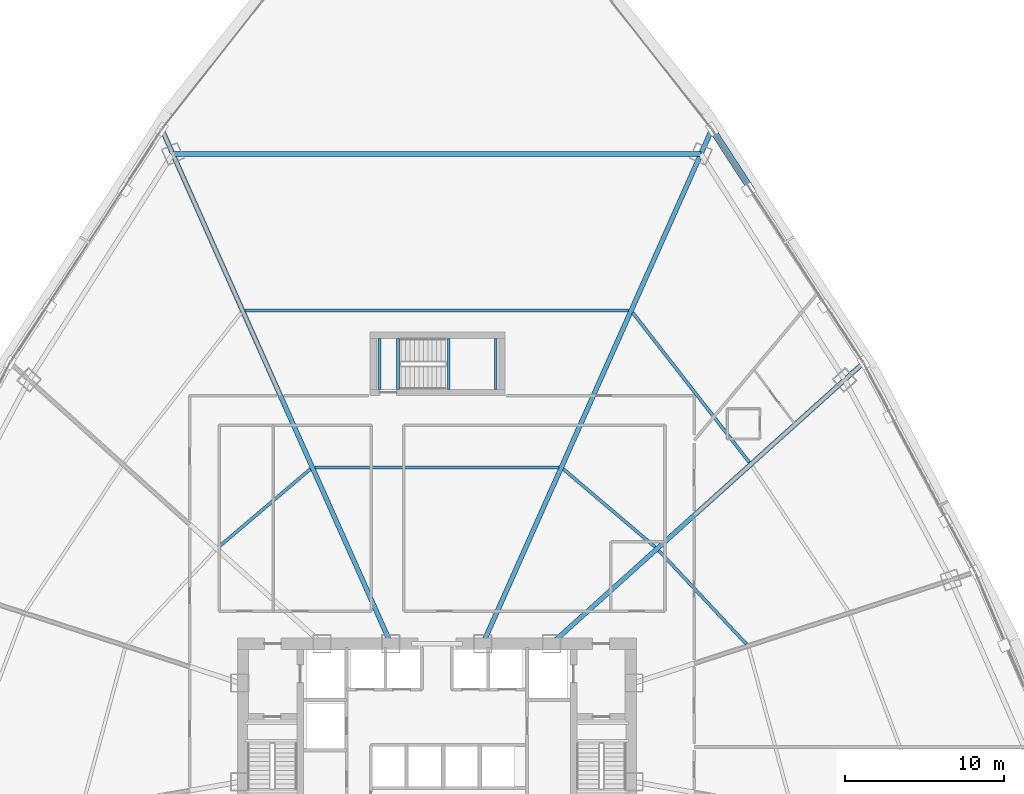
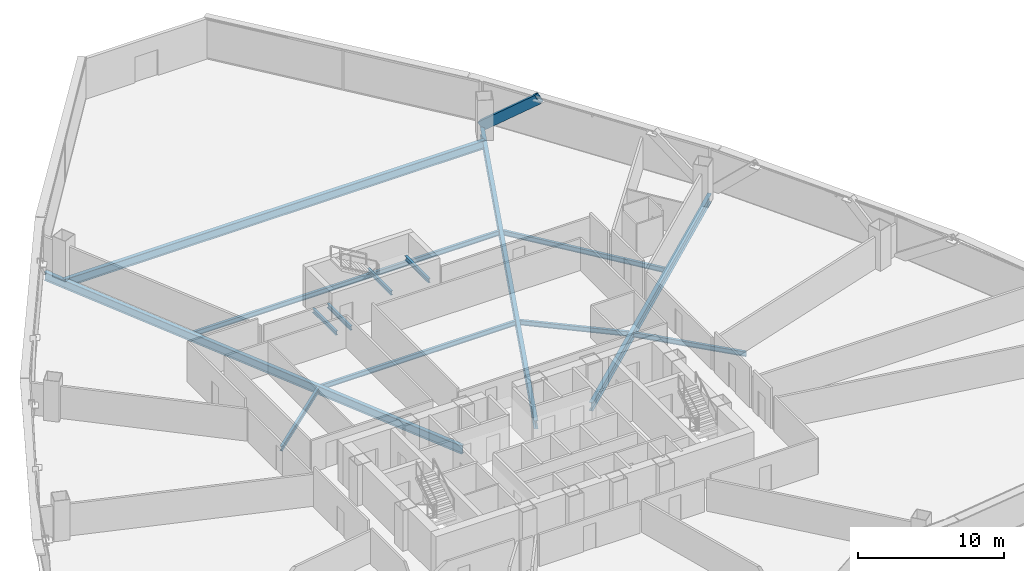
# One storey, part 19 of 42: 14 beams, 1 member.
"""IFC4 building model written with IfcOpenShell, lengths in metres."""

from ifc_helpers import new_model, si_unit, direction, frame, origin, origin_2d, place, context, subcontext, project, spatial, hollow_rectangle, i_section, extrude, source, transform, mapped, material, material_profile, profile_set, type_object, element, save


model = new_model("IFC4")

# Units and contexts
model_context = context("Model", 3, precision=1e-05, world=origin(), true_north=direction((0.0, 1.0)))
body_context = subcontext(model_context, "Body", "Model", "MODEL_VIEW")
ifc_project = project(units=[si_unit("LENGTHUNIT", "METRE"), si_unit("AREAUNIT", "SQUARE_METRE"), si_unit("VOLUMEUNIT", "CUBIC_METRE"), si_unit("PLANEANGLEUNIT", "RADIAN"), si_unit("MASSUNIT", "GRAM", prefix="KILO"), si_unit("THERMODYNAMICTEMPERATUREUNIT", "KELVIN"), si_unit("POWERUNIT", "WATT")], contexts=[model_context])

# Site, building, storey
site_placement = place(None, origin())
site = spatial("IfcSite", under=ifc_project, at=site_placement, CompositionType="ELEMENT")
building_placement = place(site_placement, origin())
building = spatial("IfcBuilding", under=site, at=building_placement, Name="Yunzhuo Pagoda Commons", CompositionType="ELEMENT")
storey_placement = place(building_placement, frame((0.0, 0.0, 48.550048828125)))
storey = spatial("IfcBuildingStorey", under=building, at=storey_placement, Name="L12", CompositionType="ELEMENT", Elevation=48.550048828125)

# Beams
ifc_material_1 = material(Name="Structural steel Q355B", Category="steel")
ifc_material_profile_1 = material_profile(ifc_material_1, i_section(OverallWidth=0.175048828125, OverallDepth=0.35009765625, WebThickness=0.007080078125, FlangeThickness=0.010986328125, at=origin_2d()), Name="Structural steel Q355B")
ifc_profile_set_1 = profile_set([ifc_material_profile_1], Name="Structural steel Q355B")
beam_type_1 = type_object("IfcBeamType", Name="B-JS2 Joist HN 350x175x7x11", PredefinedType="JOIST", material=ifc_profile_set_1)
shared_shape_1 = source(origin(), body_context, "Body", "SweptSolid", [
    extrude(i_section(OverallWidth=0.175048828125, OverallDepth=0.35009765625, WebThickness=0.007080078125, FlangeThickness=0.010986328125, at=origin_2d()), origin(), (0.0, 0.0, 1.0), 3.199951171875),
])
for number, where, z_axis, x_axis, name in (
    (1, (48.75, 56.199951171875, 1.43994140625), (0.0, 1.0, 0.0), (-1.0, 0.0, 0.0), "L12 ST3 landing support beam 16A"),
    (2, (51.699951171875, 56.199951171875, 1.43994140625), (0.0, 1.0, 0.0), (-1.0, 0.0, 0.0), "L12 ST3 landing support beam 16B"),
    (3, (44.39990234375, 56.199951171875, -0.375), (0.0, 1.0, 0.0), (-1.0, 0.0, 0.0), "L12 ST3 landing support beam 86A"),
    (4, (45.550048828125, 56.199951171875, -0.375), (0.0, 1.0, 0.0), (-1.0, 0.0, 0.0), "L12 ST3 landing support beam 86B"),
):
    element("IfcBeam", number, at=place(storey_placement, frame(where, z_axis=z_axis, x_axis=x_axis)), inside=storey, type_object=beam_type_1, Name=name, PredefinedType="JOIST", context=body_context, shape_type="MappedRepresentation", body=[
        mapped(shared_shape_1, transform((0.0, 0.0, 0.0), scale=1.0)),
    ])
ifc_material_profile_2 = material_profile(ifc_material_1, i_section(OverallWidth=0.300048828125, OverallDepth=0.699951171875, WebThickness=0.012939453125, FlangeThickness=0.02392578125, at=origin_2d()), Name="Structural steel Q355B")
ifc_profile_set_2 = profile_set([ifc_material_profile_2], Name="Structural steel Q355B")
beam_type_2 = type_object("IfcBeamType", Name="B-RG1 Beam HN 700x300x13x24", PredefinedType="BEAM", material=ifc_profile_set_2)
shared_shape_2 = source(origin(), body_context, "Body", "SweptSolid", [
    extrude(i_section(OverallWidth=0.300048828125, OverallDepth=0.699951171875, WebThickness=0.012939453125, FlangeThickness=0.02392578125, at=origin_2d()), origin(), (0.0, 0.0, 1.0), 33.2216796875),
])
beam_1_placement = place(storey_placement, frame((64.61083984375, 71.008544921875, -0.610107421875), z_axis=(-1.0, 0.0, 0.0), x_axis=(0.0, -1.0, 0.0)))
element("IfcBeam", 5, at=beam_1_placement, inside=storey, type_object=beam_type_2, Name="L12 column-ring beam 8", PredefinedType="BEAM", context=body_context, shape_type="MappedRepresentation", body=[
    mapped(shared_shape_2, transform((0.0, 0.0, 0.0), scale=1.0)),
])
ifc_material_profile_3 = material_profile(ifc_material_1, i_section(OverallWidth=0.199951171875, OverallDepth=0.39990234375, WebThickness=0.008056640625, FlangeThickness=0.012939453125, at=origin_2d()), Name="Structural steel Q355B")
ifc_profile_set_3 = profile_set([ifc_material_profile_3], Name="Structural steel Q355B")
beam_type_3 = type_object("IfcBeamType", Name="B-JS1 Joist HN 400x200x8x13", PredefinedType="JOIST", material=ifc_profile_set_3)
shared_shape_3 = source(origin(), body_context, "Body", "SweptSolid", [
    extrude(i_section(OverallWidth=0.199951171875, OverallDepth=0.39990234375, WebThickness=0.008056640625, FlangeThickness=0.012939453125, at=origin_2d()), origin(), (0.0, 0.0, 1.0), 8.055908203125),
])
beam_2_placement = place(storey_placement, frame((67.468017578125, 40.177001953125, -0.4599609375), z_axis=(-0.683432879027, 0.730013355949, 0.0), x_axis=(-0.730013355949, -0.683432879027, 0.0)))
element("IfcBeam", 6, at=beam_2_placement, inside=storey, type_object=beam_type_3, Name="L12 composite ring joist 1.6", PredefinedType="JOIST", context=body_context, shape_type="MappedRepresentation", body=[
    mapped(shared_shape_3, transform((0.0, 0.0, 0.0), scale=1.0)),
])
shared_shape_4 = source(origin(), body_context, "Body", "SweptSolid", [
    extrude(i_section(OverallWidth=0.199951171875, OverallDepth=0.39990234375, WebThickness=0.008056640625, FlangeThickness=0.012939453125, at=origin_2d()), origin(), (0.0, 0.0, 1.0), 7.583984375),
])
for number, where, z_axis, x_axis, name in (
    (7, (61.732421875, 46.277099609375, -0.4599609375), (-0.762037799133, 0.647532541803, 0.0), (-0.647532541803, -0.762037799133, 0.0), "L12 composite ring joist 1.7"),
    (8, (40.046875, 51.18798828125, -0.4599609375), (-0.762037799133, -0.647532541803, 0.0), (0.647532541803, -0.762037799133, 0.0), "L12 composite ring joist 1.9"),
):
    element("IfcBeam", number, at=place(storey_placement, frame(where, z_axis=z_axis, x_axis=x_axis)), inside=storey, type_object=beam_type_3, Name=name, PredefinedType="JOIST", context=body_context, shape_type="MappedRepresentation", body=[
        mapped(shared_shape_4, transform((0.0, 0.0, 0.0), scale=1.0)),
    ])
shared_shape_5 = source(origin(), body_context, "Body", "SweptSolid", [
    extrude(i_section(OverallWidth=0.199951171875, OverallDepth=0.39990234375, WebThickness=0.008056640625, FlangeThickness=0.012939453125, at=origin_2d()), origin(), (0.0, 0.0, 1.0), 11.9345703125),
])
beam_3_placement = place(storey_placement, frame((67.65380859375, 51.609619140625, -0.4599609375), z_axis=(-0.614572048085, 0.788860696012, 0.0), x_axis=(-0.788860696012, -0.614572048085, 0.0)))
element("IfcBeam", 9, at=beam_3_placement, inside=storey, type_object=beam_type_3, Name="L12 composite ring joist 2.7", PredefinedType="JOIST", context=body_context, shape_type="MappedRepresentation", body=[
    mapped(shared_shape_5, transform((0.0, 0.0, 0.0), scale=1.0)),
])
shared_shape_6 = source(origin(), body_context, "Body", "SweptSolid", [
    extrude(i_section(OverallWidth=0.199951171875, OverallDepth=0.39990234375, WebThickness=0.008056640625, FlangeThickness=0.012939453125, at=origin_2d()), origin(), (0.0, 0.0, 1.0), 15.34619140625),
])
beam_4_placement = place(storey_placement, frame((55.673095703125, 51.291015625, -0.4599609375), z_axis=(-1.0, 0.0, 0.0), x_axis=(0.0, -1.0, 0.0)))
element("IfcBeam", 10, at=beam_4_placement, inside=storey, type_object=beam_type_3, Name="L12 composite ring joist 1.8", PredefinedType="JOIST", context=body_context, shape_type="MappedRepresentation", body=[
    mapped(shared_shape_6, transform((0.0, 0.0, 0.0), scale=1.0)),
])
shared_shape_7 = source(origin(), body_context, "Body", "SweptSolid", [
    extrude(i_section(OverallWidth=0.199951171875, OverallDepth=0.39990234375, WebThickness=0.008056640625, FlangeThickness=0.012939453125, at=origin_2d()), origin(), (0.0, 0.0, 1.0), 24.125),
])
beam_5_placement = place(storey_placement, frame((60.0625, 61.14990234375, -0.4599609375), z_axis=(-1.0, 0.0, 0.0), x_axis=(0.0, -1.0, 0.0)))
element("IfcBeam", 11, at=beam_5_placement, inside=storey, type_object=beam_type_3, Name="L12 composite ring joist 2.8", PredefinedType="JOIST", context=body_context, shape_type="MappedRepresentation", body=[
    mapped(shared_shape_7, transform((0.0, 0.0, 0.0), scale=1.0)),
])
shared_shape_8 = source(origin(), body_context, "Body", "SweptSolid", [
    extrude(i_section(OverallWidth=0.300048828125, OverallDepth=0.699951171875, WebThickness=0.012939453125, FlangeThickness=0.02392578125, at=origin_2d()), origin(), (0.0, 0.0, 1.0), 26.257568359375),
])
beam_6_placement = place(storey_placement, frame((74.732177734375, 57.769775390625, -0.610107421875), z_axis=(-0.743143409048, -0.66913217946, 0.0), x_axis=(0.66913217946, -0.743143409048, 0.0)))
element("IfcBeam", 12, at=beam_6_placement, inside=storey, type_object=beam_type_2, Name="L12 radial floor girder F2C3", PredefinedType="BEAM", context=body_context, shape_type="MappedRepresentation", body=[
    mapped(shared_shape_8, transform((0.0, 0.0, 0.0), scale=1.0)),
])
shared_shape_9 = source(origin(), body_context, "Body", "SweptSolid", [
    extrude(i_section(OverallWidth=0.300048828125, OverallDepth=0.699951171875, WebThickness=0.012939453125, FlangeThickness=0.02392578125, at=origin_2d()), origin(), (0.0, 0.0, 1.0), 35.277099609375),
])
for number, where, z_axis, x_axis, name in (
    (13, (65.242431640625, 72.42724609375, -0.610107421875), (-0.406733627292, -0.91354680035, 0.0), (0.91354680035, -0.406733627292, 0.0), "L12 radial floor girder F2C4"),
    (14, (30.757568359375, 72.42724609375, -0.610107421875), (0.406733627292, -0.91354680035, 0.0), (0.91354680035, 0.406733627292, 0.0), "L12 radial floor girder F3C1"),
):
    element("IfcBeam", number, at=place(storey_placement, frame(where, z_axis=z_axis, x_axis=x_axis)), inside=storey, type_object=beam_type_2, Name=name, PredefinedType="BEAM", context=body_context, shape_type="MappedRepresentation", body=[
        mapped(shared_shape_9, transform((0.0, 0.0, 0.0), scale=1.0)),
    ])

# Member
ifc_material_2 = material(Name="Structural steel Q420B", Category="steel")
ifc_material_profile_4 = material_profile(ifc_material_2, hollow_rectangle(XDim=0.419921875, YDim=0.719970703125, WallThickness=0.028076171875, at=origin_2d()), Name="Structural steel Q420B")
ifc_profile_set_4 = profile_set([ifc_material_profile_4], Name="Structural steel Q420B")
member_type = type_object("IfcMemberType", Name="M-DL1 Brace BOX 720x420x28", PredefinedType="BRACE", material=ifc_profile_set_4)
shared_shape_10 = source(origin(), body_context, "Body", "SweptSolid", [
    extrude(hollow_rectangle(XDim=0.419921875, YDim=0.719970703125, WallThickness=0.028076171875, at=origin_2d()), origin(), (0.0, 0.0, 1.0), 5.688720703125),
])
member_placement = place(storey_placement, frame((65.305419921875, 72.56884765625, -0.260009765625), z_axis=(0.419336112302, -0.64576302137, 0.638080986358), x_axis=(0.838686761219, 0.544614098749, 0.0)))
element("IfcMember", 15, at=member_placement, inside=storey, type_object=member_type, Name="L12 facade diamond brace F2.3R", PredefinedType="BRACE", context=body_context, shape_type="MappedRepresentation", body=[
    mapped(shared_shape_10, transform((0.0, 0.0, 0.0), scale=1.0)),
])

save(model, "model.ifc")
